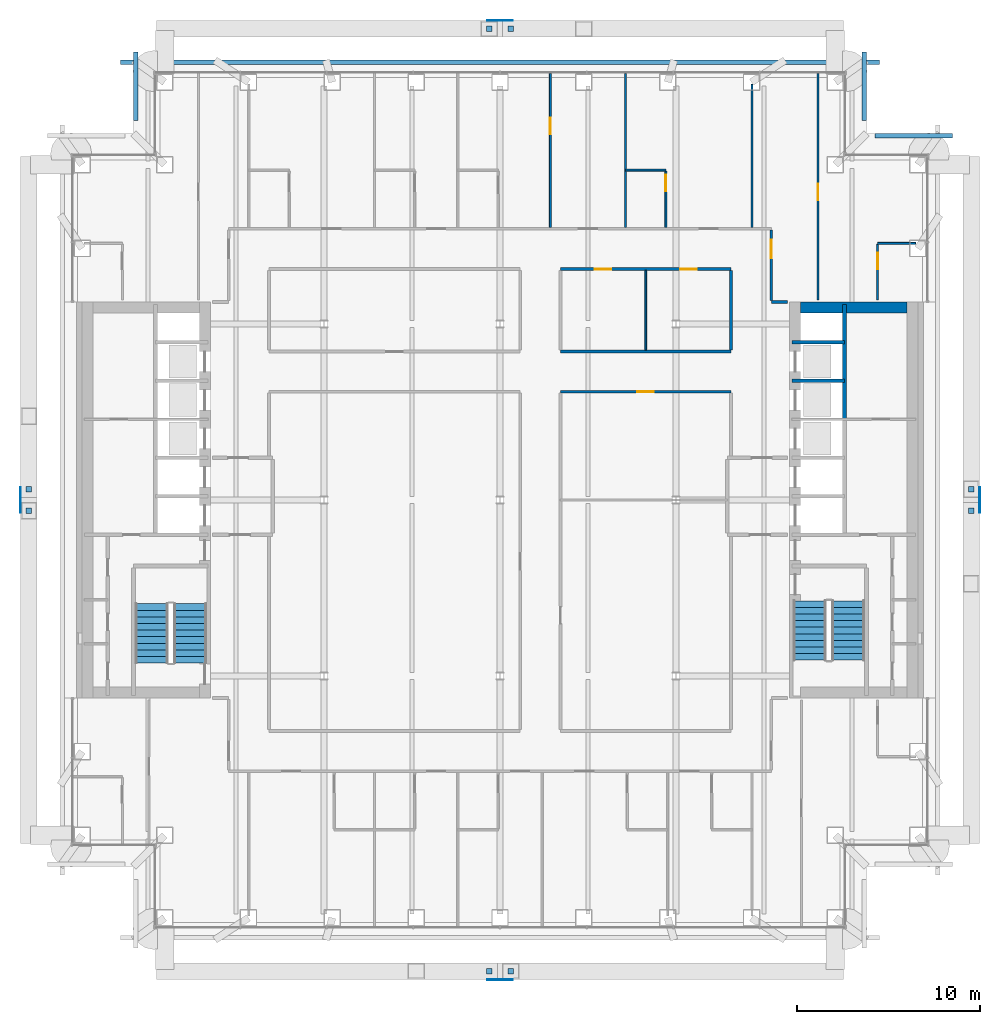
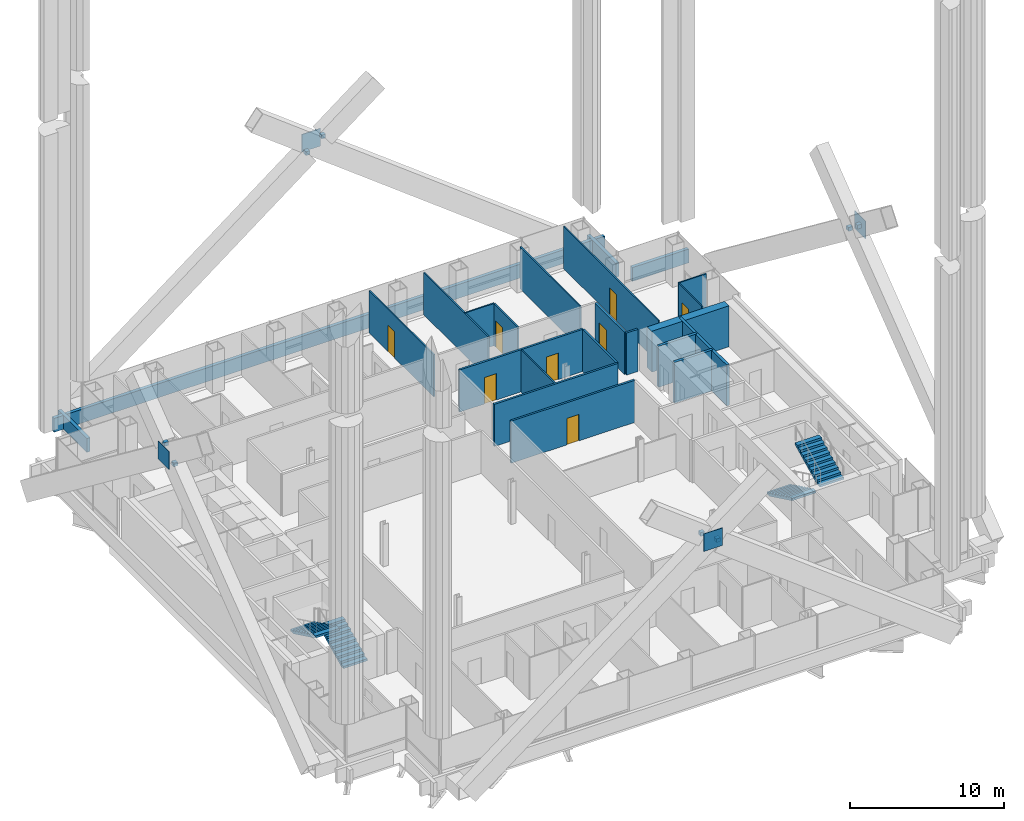
# One storey, part 16 of 22: 23 walls, 12 discrete accessories, 8 doors, 4 stair flights, 8 openings, 2 elements without a shape of their own.
"""IFC4 building model written with IfcOpenShell, lengths in metres."""

from ifc_helpers import new_model, si_unit, direction, frame, frame_2d, origin, origin_2d, place, context, subcontext, project, spatial, polyline, rectangle, outline, extrude, material, layer, layer_set, type_object, element, fill, aggregate, save


model = new_model("IFC4")

# Units and contexts
model_context = context("Model", 3, precision=1e-05, world=origin(), true_north=direction((0.0, 1.0)))
body_context = subcontext(model_context, "Body", "Model", "MODEL_VIEW")
ifc_project = project(units=[si_unit("LENGTHUNIT", "METRE"), si_unit("AREAUNIT", "SQUARE_METRE"), si_unit("VOLUMEUNIT", "CUBIC_METRE"), si_unit("PLANEANGLEUNIT", "RADIAN"), si_unit("MASSUNIT", "GRAM", prefix="KILO")], contexts=[model_context])

# Site, building, storey
site_placement = place(None, origin())
site = spatial("IfcSite", under=ifc_project, at=site_placement, CompositionType="ELEMENT")
building_placement = place(site_placement, origin())
building = spatial("IfcBuilding", under=site, at=building_placement, Name="Cobrizo Arcos Hotel Tower", CompositionType="ELEMENT")
storey_placement = place(building_placement, frame((0.0, 0.0, 89.0)))
storey = spatial("IfcBuildingStorey", under=building, at=storey_placement, Name="L21", CompositionType="ELEMENT", Elevation=89.0)

# Wall, opening, door
ifc_material_1 = material(Name="Gypsum board partition")
ifc_layer_1 = layer(ifc_material_1, 0.14990234375)
ifc_layer_set_1 = layer_set([ifc_layer_1], Name="Corridor wall EI 60 150")
wall_type_1 = type_object("IfcWallType", Name="Corridor wall EI 60 150", PredefinedType="PARTITIONING", material=ifc_layer_set_1)
wall_1_placement = place(storey_placement, frame((3.300048828125, 5.89990234375, 0.0), z_axis=(0.0, 0.0, 1.0), x_axis=(1.0, 0.0, 0.0)))
wall_1 = element("IfcWall", 1, at=wall_1_placement, inside=storey, type_object=wall_type_1, Name="Partition 034", PredefinedType="PARTITIONING", context=body_context, shape_type="SweptSolid", body=[
    extrude(rectangle(XDim=9.300048828125, YDim=0.14990234375, at=frame_2d((4.64990234375, 0.0))), origin(), (0.0, 0.0, 1.0), 3.35009765625),
])
opening_1_placement = place(wall_1_placement, frame((4.199951171875, 0.0, 0.0)))
opening_1 = element("IfcOpeningElement", 2, at=opening_1_placement, cuts=wall_1, Name="Opening RD-16", PredefinedType="OPENING", context=body_context, shape_type="SweptSolid", body=[
    extrude(rectangle(XDim=0.89990234375, YDim=2.10009765625, at=frame_2d((0.449951171875, 1.050048828125))), frame((0.0, 0.0869140625, 0.0), z_axis=(0.0, -1.0, 0.0), x_axis=(1.0, 0.0, 0.0)), (0.0, 0.0, 1.0), 0.173828125),
])
ifc_material_2 = material(Name="Timber door leaf", Category="wood")
door_type_1 = type_object("IfcDoorType", Name="Room door FD30 900x2100", OperationType="SINGLE_SWING_LEFT", PredefinedType="DOOR", material=ifc_material_2)
door_1_placement = place(opening_1_placement, origin())
door_1 = element("IfcDoor", 3, at=door_1_placement, inside=storey, type_object=door_type_1, Name="Door RD-16", OperationType="SINGLE_SWING_RIGHT", OverallHeight=2.10009765625, OverallWidth=0.89990234375, PredefinedType="DOOR", context=body_context, shape_type="SweptSolid", body=[
    extrude(rectangle(XDim=0.89990234375, YDim=2.10009765625, at=frame_2d((0.449951171875, 1.050048828125))), frame((0.0, 0.02490234375, 0.0), z_axis=(0.0, -1.0, 0.0), x_axis=(1.0, 0.0, 0.0)), (0.0, 0.0, 1.0), 0.050048828125),
])
fill(opening_1, door_1)

# Walls
wall_2_placement = place(storey_placement, frame((3.300048828125, 8.10009765625, 0.0), z_axis=(0.0, 0.0, 1.0), x_axis=(1.0, 0.0, 0.0)))
element("IfcWall", 4, at=wall_2_placement, inside=storey, type_object=wall_type_1, Name="Partition 038", PredefinedType="PARTITIONING", context=body_context, shape_type="SweptSolid", body=[
    extrude(rectangle(XDim=9.300048828125, YDim=0.14990234375, at=frame_2d((4.64990234375, 0.0))), origin(), (0.0, 0.0, 1.0), 3.35009765625),
])
wall_3_placement = place(storey_placement, frame((14.800048828125, 10.800048828125, 0.0), z_axis=(0.0, 0.0, 1.0), x_axis=(1.0, 0.0, 0.0)))
element("IfcWall", 5, at=wall_3_placement, inside=storey, type_object=wall_type_1, Name="Partition 042", PredefinedType="PARTITIONING", context=body_context, shape_type="SweptSolid", body=[
    extrude(rectangle(XDim=0.8798828125, YDim=0.14990234375, at=frame_2d((0.43994140625, 0.0))), origin(), (0.0, 0.0, 1.0), 3.35009765625),
])

# Wall, openings, doors
wall_4_placement = place(storey_placement, frame((3.300048828125, 12.60009765625, 0.0), z_axis=(0.0, 0.0, 1.0), x_axis=(1.0, 0.0, 0.0)))
wall_4 = element("IfcWall", 6, at=wall_4_placement, inside=storey, type_object=wall_type_1, Name="Partition 044", PredefinedType="PARTITIONING", context=body_context, shape_type="SweptSolid", body=[
    extrude(rectangle(XDim=9.300048828125, YDim=0.14990234375, at=frame_2d((4.64990234375, 0.0))), origin(), (0.0, 0.0, 1.0), 3.35009765625),
])
opening_2_placement = place(wall_4_placement, frame((1.875, 0.0, 0.0)))
opening_2 = element("IfcOpeningElement", 7, at=opening_2_placement, cuts=wall_4, Name="Opening ED-14", PredefinedType="OPENING", context=body_context, shape_type="SweptSolid", body=[
    extrude(rectangle(XDim=0.89990234375, YDim=2.10009765625, at=frame_2d((0.449951171875, 1.050048828125))), frame((0.0, 0.0869140625, 0.0), z_axis=(0.0, -1.0, 0.0), x_axis=(1.0, 0.0, 0.0)), (0.0, 0.0, 1.0), 0.173828125),
])
opening_3_placement = place(wall_4_placement, frame((6.52490234375, 0.0, 0.0)))
opening_3 = element("IfcOpeningElement", 8, at=opening_3_placement, cuts=wall_4, Name="Opening ED-15", PredefinedType="OPENING", context=body_context, shape_type="SweptSolid", body=[
    extrude(rectangle(XDim=0.89990234375, YDim=2.10009765625, at=frame_2d((0.449951171875, 1.050048828125))), frame((0.0, 0.0869140625, 0.0), z_axis=(0.0, -1.0, 0.0), x_axis=(1.0, 0.0, 0.0)), (0.0, 0.0, 1.0), 0.173828125),
])
door_type_2 = type_object("IfcDoorType", Name="En-suite door 900x2100", OperationType="SINGLE_SWING_LEFT", PredefinedType="DOOR", material=ifc_material_2)
door_2_placement = place(opening_2_placement, origin())
door_2 = element("IfcDoor", 9, at=door_2_placement, inside=storey, type_object=door_type_2, Name="Door ED-14", OperationType="SINGLE_SWING_LEFT", OverallHeight=2.10009765625, OverallWidth=0.89990234375, PredefinedType="DOOR", context=body_context, shape_type="SweptSolid", body=[
    extrude(rectangle(XDim=0.89990234375, YDim=2.10009765625, at=frame_2d((0.449951171875, 1.050048828125))), frame((0.0, 0.02490234375, 0.0), z_axis=(0.0, -1.0, 0.0), x_axis=(1.0, 0.0, 0.0)), (0.0, 0.0, 1.0), 0.050048828125),
])
fill(opening_2, door_2)
door_3_placement = place(opening_3_placement, origin())
door_3 = element("IfcDoor", 10, at=door_3_placement, inside=storey, type_object=door_type_2, Name="Door ED-15", OperationType="SINGLE_SWING_RIGHT", OverallHeight=2.10009765625, OverallWidth=0.89990234375, PredefinedType="DOOR", context=body_context, shape_type="SweptSolid", body=[
    extrude(rectangle(XDim=0.89990234375, YDim=2.10009765625, at=frame_2d((0.449951171875, 1.050048828125))), frame((0.0, 0.02490234375, 0.0), z_axis=(0.0, -1.0, 0.0), x_axis=(1.0, 0.0, 0.0)), (0.0, 0.0, 1.0), 0.050048828125),
])
fill(opening_3, door_3)

# Wall
wall_5_placement = place(storey_placement, frame((12.60009765625, 8.175048828125, 0.0), z_axis=(0.0, 0.0, 1.0), x_axis=(0.0, 1.0, 0.0)))
element("IfcWall", 11, at=wall_5_placement, inside=storey, type_object=wall_type_1, Name="Partition 094", PredefinedType="PARTITIONING", context=body_context, shape_type="SweptSolid", body=[
    extrude(rectangle(XDim=4.349853515625, YDim=0.14990234375, at=frame_2d((2.1748046875, 0.0))), origin(), (0.0, 0.0, 1.0), 3.35009765625),
])

# Wall, opening, door
wall_6_placement = place(storey_placement, frame((14.800048828125, 10.875, 0.0), z_axis=(0.0, 0.0, 1.0), x_axis=(0.0, 1.0, 0.0)))
wall_6 = element("IfcWall", 12, at=wall_6_placement, inside=storey, type_object=wall_type_1, Name="Partition 098", PredefinedType="PARTITIONING", context=body_context, shape_type="SweptSolid", body=[
    extrude(rectangle(XDim=3.85009765625, YDim=0.14990234375, at=frame_2d((1.925048828125, 0.0))), origin(), (0.0, 0.0, 1.0), 3.35009765625),
])
opening_4_placement = place(wall_6_placement, frame((2.324951171875, 0.0, 0.0)))
opening_4 = element("IfcOpeningElement", 13, at=opening_4_placement, cuts=wall_6, Name="Opening GD-13", PredefinedType="OPENING", context=body_context, shape_type="SweptSolid", body=[
    extrude(rectangle(XDim=1.0, YDim=2.10009765625, at=frame_2d((0.5, 1.050048828125))), frame((0.0, 0.0869140625, 0.0), z_axis=(0.0, -1.0, 0.0), x_axis=(1.0, 0.0, 0.0)), (0.0, 0.0, 1.0), 0.173828125),
])
door_type_3 = type_object("IfcDoorType", Name="Guest room door FD30S 1000x2100", OperationType="SINGLE_SWING_LEFT", PredefinedType="DOOR", material=ifc_material_2)
door_4_placement = place(opening_4_placement, origin())
door_4 = element("IfcDoor", 14, at=door_4_placement, inside=storey, type_object=door_type_3, Name="Door GD-13", OperationType="SINGLE_SWING_LEFT", OverallHeight=2.10009765625, OverallWidth=1.0, PredefinedType="DOOR", context=body_context, shape_type="SweptSolid", body=[
    extrude(rectangle(XDim=1.0, YDim=2.10009765625, at=frame_2d((0.5, 1.050048828125))), frame((0.0, 0.02490234375, 0.0), z_axis=(0.0, -1.0, 0.0), x_axis=(1.0, 0.0, 0.0)), (0.0, 0.0, 1.0), 0.050048828125),
])
fill(opening_4, door_4)

# Walls
ifc_material_3 = material(Name="Aluminium composite panel pale metal", Category="aluminium")
ifc_layer_2 = layer(ifc_material_3, 0.25)
ifc_layer_set_2 = layer_set([ifc_layer_2], Name="PW-1 parapet wall")
wall_type_2 = type_object("IfcWallType", Name="PW-1 parapet wall", PredefinedType="PARAPET", material=ifc_layer_set_2)
wall_7_placement = place(storey_placement, frame((24.699951171875, 19.875, 0.0), z_axis=(0.0, 0.0, 1.0), x_axis=(-1.0, 0.0, 0.0)))
element("IfcWall", 15, at=wall_7_placement, inside=storey, type_object=wall_type_2, Name="Parapet L20 N", PredefinedType="PARAPET", context=body_context, shape_type="SweptSolid", body=[
    extrude(rectangle(XDim=4.25, YDim=0.25, at=frame_2d((2.125, 0.0))), origin(), (0.0, 0.0, 1.0), 1.10009765625),
])
wall_8_placement = place(storey_placement, frame((19.875, 20.699951171875, 0.0), z_axis=(0.0, 0.0, 1.0), x_axis=(0.0, 1.0, 0.0)))
element("IfcWall", 16, at=wall_8_placement, inside=storey, type_object=wall_type_2, Name="Parapet L20 E", PredefinedType="PARAPET", context=body_context, shape_type="SweptSolid", body=[
    extrude(rectangle(XDim=3.75, YDim=0.25, at=frame_2d((1.875, 0.0))), origin(), (0.0, 0.0, 1.0), 1.10009765625),
])
wall_9_placement = place(storey_placement, frame((20.699951171875, 23.875, 0.0), z_axis=(0.0, 0.0, 1.0), x_axis=(-1.0, 0.0, 0.0)))
element("IfcWall", 17, at=wall_9_placement, inside=storey, type_object=wall_type_2, Name="Parapet L20 N", PredefinedType="PARAPET", context=body_context, shape_type="SweptSolid", body=[
    extrude(rectangle(XDim=41.39990234375, YDim=0.25, at=frame_2d((20.699951171875, 0.0))), origin(), (0.0, 0.0, 1.0), 1.10009765625),
])
wall_10_placement = place(storey_placement, frame((-19.875, 24.449951171875, 0.0), z_axis=(0.0, 0.0, 1.0), x_axis=(0.0, -1.0, 0.0)))
element("IfcWall", 18, at=wall_10_placement, inside=storey, type_object=wall_type_2, Name="Parapet L20 W", PredefinedType="PARAPET", context=body_context, shape_type="SweptSolid", body=[
    extrude(rectangle(XDim=3.75, YDim=0.25, at=frame_2d((1.875, 0.0))), origin(), (0.0, 0.0, 1.0), 1.10009765625),
])
ifc_layer_3 = layer(ifc_material_1, 0.10009765625)
ifc_layer_set_3 = layer_set([ifc_layer_3], Name="Partition EI 30 100")
wall_type_3 = type_object("IfcWallType", Name="Partition EI 30 100", PredefinedType="PARTITIONING", material=ifc_layer_set_3)
wall_11_placement = place(storey_placement, frame((20.60009765625, 14.0, 0.0), z_axis=(0.0, 0.0, 1.0), x_axis=(1.0, 0.0, 0.0)))
element("IfcWall", 19, at=wall_11_placement, inside=storey, type_object=wall_type_3, Name="Partition 046", PredefinedType="PARTITIONING", context=body_context, shape_type="SweptSolid", body=[
    extrude(rectangle(XDim=2.079833984375, YDim=0.10009765625, at=frame_2d((1.0400390625, 0.0))), origin(), (0.0, 0.0, 1.0), 3.35009765625),
])
wall_12_placement = place(storey_placement, frame((6.85009765625, 18.0, 0.0), z_axis=(0.0, 0.0, 1.0), x_axis=(1.0, 0.0, 0.0)))
element("IfcWall", 20, at=wall_12_placement, inside=storey, type_object=wall_type_3, Name="Partition 051", PredefinedType="PARTITIONING", context=body_context, shape_type="SweptSolid", body=[
    extrude(rectangle(XDim=2.199951171875, YDim=0.10009765625, at=frame_2d((1.10009765625, 0.0))), origin(), (0.0, 0.0, 1.0), 3.35009765625),
])

# Wall, opening, door
wall_13_placement = place(storey_placement, frame((2.75, 14.875, 0.0), z_axis=(0.0, 0.0, 1.0), x_axis=(0.0, 1.0, 0.0)))
wall_13 = element("IfcWall", 21, at=wall_13_placement, inside=storey, type_object=wall_type_3, Name="Partition 082", PredefinedType="PARTITIONING", context=body_context, shape_type="SweptSolid", body=[
    extrude(rectangle(XDim=8.405029296875, YDim=0.10009765625, at=frame_2d((4.20263671875, 0.0))), origin(), (0.0, 0.0, 1.0), 3.35009765625),
])
opening_5_placement = place(wall_13_placement, frame((5.074951171875, 0.0, 0.0)))
opening_5 = element("IfcOpeningElement", 22, at=opening_5_placement, cuts=wall_13, Name="Opening RD-11", PredefinedType="OPENING", context=body_context, shape_type="SweptSolid", body=[
    extrude(rectangle(XDim=0.89990234375, YDim=2.10009765625, at=frame_2d((0.449951171875, 1.050048828125))), frame((0.0, 0.06201171875, 0.0), z_axis=(0.0, -1.0, 0.0), x_axis=(1.0, 0.0, 0.0)), (0.0, 0.0, 1.0), 0.1240234375),
])
door_5_placement = place(opening_5_placement, origin())
door_5 = element("IfcDoor", 23, at=door_5_placement, inside=storey, type_object=door_type_1, Name="Door RD-11", OperationType="SINGLE_SWING_RIGHT", OverallHeight=2.10009765625, OverallWidth=0.89990234375, PredefinedType="DOOR", context=body_context, shape_type="SweptSolid", body=[
    extrude(rectangle(XDim=0.89990234375, YDim=2.10009765625, at=frame_2d((0.449951171875, 1.050048828125))), frame((0.0, 0.02490234375, 0.0), z_axis=(0.0, -1.0, 0.0), x_axis=(1.0, 0.0, 0.0)), (0.0, 0.0, 1.0), 0.050048828125),
])
fill(opening_5, door_5)

# Walls
wall_14_placement = place(storey_placement, frame((6.85009765625, 14.875, 0.0), z_axis=(0.0, 0.0, 1.0), x_axis=(0.0, 1.0, 0.0)))
element("IfcWall", 24, at=wall_14_placement, inside=storey, type_object=wall_type_3, Name="Partition 085", PredefinedType="PARTITIONING", context=body_context, shape_type="SweptSolid", body=[
    extrude(rectangle(XDim=8.405029296875, YDim=0.10009765625, at=frame_2d((4.20263671875, 0.0))), origin(), (0.0, 0.0, 1.0), 3.35009765625),
])
wall_15_placement = place(storey_placement, frame((7.949951171875, 8.175048828125, 0.0), z_axis=(0.0, 0.0, 1.0), x_axis=(0.0, 1.0, 0.0)))
element("IfcWall", 25, at=wall_15_placement, inside=storey, type_object=wall_type_3, Name="Partition 087", PredefinedType="PARTITIONING", context=body_context, shape_type="SweptSolid", body=[
    extrude(rectangle(XDim=4.349853515625, YDim=0.10009765625, at=frame_2d((2.1748046875, 0.0))), origin(), (0.0, 0.0, 1.0), 3.35009765625),
])

# Wall, opening, door
wall_16_placement = place(storey_placement, frame((9.050048828125, 14.875, 0.0), z_axis=(0.0, 0.0, 1.0), x_axis=(0.0, 1.0, 0.0)))
wall_16 = element("IfcWall", 26, at=wall_16_placement, inside=storey, type_object=wall_type_3, Name="Partition 088", PredefinedType="PARTITIONING", context=body_context, shape_type="SweptSolid", body=[
    extrude(rectangle(XDim=3.074951171875, YDim=0.10009765625, at=frame_2d((1.53759765625, 0.0))), origin(), (0.0, 0.0, 1.0), 3.35009765625),
])
opening_6_placement = place(wall_16_placement, frame((1.970947265625, 0.0, 0.0)))
opening_6 = element("IfcOpeningElement", 27, at=opening_6_placement, cuts=wall_16, Name="Opening ED-04", PredefinedType="OPENING", context=body_context, shape_type="SweptSolid", body=[
    extrude(rectangle(XDim=0.89990234375, YDim=2.10009765625, at=frame_2d((0.449951171875, 1.050048828125))), frame((0.0, 0.06201171875, 0.0), z_axis=(0.0, -1.0, 0.0), x_axis=(1.0, 0.0, 0.0)), (0.0, 0.0, 1.0), 0.1240234375),
])
door_6_placement = place(opening_6_placement, origin())
door_6 = element("IfcDoor", 28, at=door_6_placement, inside=storey, type_object=door_type_2, Name="Door ED-04", OperationType="SINGLE_SWING_RIGHT", OverallHeight=2.10009765625, OverallWidth=0.89990234375, PredefinedType="DOOR", context=body_context, shape_type="SweptSolid", body=[
    extrude(rectangle(XDim=0.89990234375, YDim=2.10009765625, at=frame_2d((0.449951171875, 1.050048828125))), frame((0.0, 0.02490234375, 0.0), z_axis=(0.0, -1.0, 0.0), x_axis=(1.0, 0.0, 0.0)), (0.0, 0.0, 1.0), 0.050048828125),
])
fill(opening_6, door_6)

# Wall
wall_17_placement = place(storey_placement, frame((13.75, 14.875, 0.0), z_axis=(0.0, 0.0, 1.0), x_axis=(0.0, 1.0, 0.0)))
element("IfcWall", 29, at=wall_17_placement, inside=storey, type_object=wall_type_3, Name="Partition 096", PredefinedType="PARTITIONING", context=body_context, shape_type="SweptSolid", body=[
    extrude(rectangle(XDim=7.804931640625, YDim=0.10009765625, at=frame_2d((3.90234375, 0.0))), origin(), (0.0, 0.0, 1.0), 3.35009765625),
])

# Wall, opening, door
wall_18_placement = place(storey_placement, frame((17.35009765625, 10.919921875, 0.0), z_axis=(0.0, 0.0, 1.0), x_axis=(0.0, 1.0, 0.0)))
wall_18 = element("IfcWall", 30, at=wall_18_placement, inside=storey, type_object=wall_type_3, Name="Partition 100", PredefinedType="PARTITIONING", context=body_context, shape_type="SweptSolid", body=[
    extrude(rectangle(XDim=12.360107421875, YDim=0.10009765625, at=frame_2d((6.18017578125, 0.0))), origin(), (0.0, 0.0, 1.0), 3.35009765625),
])
opening_7_placement = place(wall_18_placement, frame((5.429931640625, 0.0, 0.0)))
opening_7 = element("IfcOpeningElement", 31, at=opening_7_placement, cuts=wall_18, Name="Opening RD-15", PredefinedType="OPENING", context=body_context, shape_type="SweptSolid", body=[
    extrude(rectangle(XDim=0.89990234375, YDim=2.10009765625, at=frame_2d((0.449951171875, 1.050048828125))), frame((0.0, 0.06201171875, 0.0), z_axis=(0.0, -1.0, 0.0), x_axis=(1.0, 0.0, 0.0)), (0.0, 0.0, 1.0), 0.1240234375),
])
door_7_placement = place(opening_7_placement, origin())
door_7 = element("IfcDoor", 32, at=door_7_placement, inside=storey, type_object=door_type_1, Name="Door RD-15", OperationType="SINGLE_SWING_LEFT", OverallHeight=2.10009765625, OverallWidth=0.89990234375, PredefinedType="DOOR", context=body_context, shape_type="SweptSolid", body=[
    extrude(rectangle(XDim=0.89990234375, YDim=2.10009765625, at=frame_2d((0.449951171875, 1.050048828125))), frame((0.0, 0.02490234375, 0.0), z_axis=(0.0, -1.0, 0.0), x_axis=(1.0, 0.0, 0.0)), (0.0, 0.0, 1.0), 0.050048828125),
])
fill(opening_7, door_7)

wall_19_placement = place(storey_placement, frame((20.60009765625, 10.919921875, 0.0), z_axis=(0.0, 0.0, 1.0), x_axis=(0.0, 1.0, 0.0)))
wall_19 = element("IfcWall", 33, at=wall_19_placement, inside=storey, type_object=wall_type_3, Name="Partition 105", PredefinedType="PARTITIONING", context=body_context, shape_type="SweptSolid", body=[
    extrude(rectangle(XDim=3.030029296875, YDim=0.10009765625, at=frame_2d((1.51513671875, 0.0))), origin(), (0.0, 0.0, 1.0), 3.35009765625),
])
opening_8_placement = place(wall_19_placement, frame((1.669921875, 0.0, 0.0)))
opening_8 = element("IfcOpeningElement", 34, at=opening_8_placement, cuts=wall_19, Name="Opening ED-13", PredefinedType="OPENING", context=body_context, shape_type="SweptSolid", body=[
    extrude(rectangle(XDim=0.89990234375, YDim=2.10009765625, at=frame_2d((0.449951171875, 1.050048828125))), frame((0.0, 0.06201171875, 0.0), z_axis=(0.0, -1.0, 0.0), x_axis=(1.0, 0.0, 0.0)), (0.0, 0.0, 1.0), 0.1240234375),
])
door_8_placement = place(opening_8_placement, origin())
door_8 = element("IfcDoor", 35, at=door_8_placement, inside=storey, type_object=door_type_2, Name="Door ED-13", OperationType="SINGLE_SWING_RIGHT", OverallHeight=2.10009765625, OverallWidth=0.89990234375, PredefinedType="DOOR", context=body_context, shape_type="SweptSolid", body=[
    extrude(rectangle(XDim=0.89990234375, YDim=2.10009765625, at=frame_2d((0.449951171875, 1.050048828125))), frame((0.0, 0.02490234375, 0.0), z_axis=(0.0, -1.0, 0.0), x_axis=(1.0, 0.0, 0.0)), (0.0, 0.0, 1.0), 0.050048828125),
])
fill(opening_8, door_8)

# Walls
ifc_material_4 = material(Name="Concrete f'c 50 MPa", Category="concrete")
ifc_layer_4 = layer(ifc_material_4, 0.60009765625)
ifc_layer_set_4 = layer_set([ifc_layer_4], Name="RC core wall 600 f'c 50")
wall_type_4 = type_object("IfcWallType", Name="RC core wall 600 f'c 50", PredefinedType="SHEAR", material=ifc_layer_set_4)
wall_20_placement = place(storey_placement, frame((16.39990234375, 10.5, 0.0), z_axis=(0.0, 0.0, 1.0), x_axis=(1.0, 0.0, 0.0)))
element("IfcWall", 36, at=wall_20_placement, inside=storey, type_object=wall_type_4, Name="Core wall CW2, east core, north end, L21", PredefinedType="SHEAR", context=body_context, shape_type="SweptSolid", body=[
    extrude(rectangle(XDim=5.800048828125, YDim=0.60009765625, at=frame_2d((2.89990234375, 0.0))), origin(), (0.0, 0.0, 1.0), 3.25),
])
ifc_layer_5 = layer(ifc_material_1, 0.199951171875)
ifc_layer_set_5 = layer_set([ifc_layer_5], Name="Shaft wall EI 120 200")
wall_type_5 = type_object("IfcWallType", Name="Shaft wall EI 120 200", PredefinedType="PARTITIONING", material=ifc_layer_set_5)
for number, where, z_axis, x_axis, name in (
    (37, (15.919921875, 6.5, 0.0), (0.0, 0.0, 1.0), (1.0, 0.0, 0.0), "Partition 036"),
    (38, (15.919921875, 8.60009765625, 0.0), (0.0, 0.0, 1.0), (1.0, 0.0, 0.0), "Partition 040"),
):
    element("IfcWall", number, at=place(storey_placement, frame(where, z_axis=z_axis, x_axis=x_axis)), inside=storey, type_object=wall_type_5, Name=name, PredefinedType="PARTITIONING", context=body_context, shape_type="SweptSolid", body=[
        extrude(rectangle(XDim=2.880126953125, YDim=0.199951171875, at=frame_2d((1.43994140625, 0.0))), origin(), (0.0, 0.0, 1.0), 3.25),
    ])
wall_21_placement = place(storey_placement, frame((18.800048828125, 4.449951171875, 0.0), z_axis=(0.0, 0.0, 1.0), x_axis=(0.0, 1.0, 0.0)))
element("IfcWall", 39, at=wall_21_placement, inside=storey, type_object=wall_type_5, Name="Partition 102", PredefinedType="PARTITIONING", context=body_context, shape_type="SweptSolid", body=[
    extrude(rectangle(XDim=6.22998046875, YDim=0.199951171875, at=frame_2d((3.114990234375, 0.0))), origin(), (0.0, 0.0, 1.0), 3.25),
])

# Stair, stair flights
ifc_material_5 = material(Name="Concrete f'c 40 MPa", Category="concrete")
stair_type = type_object("IfcStairType", Name="Exit stair", PredefinedType="HALF_TURN_STAIR", material=ifc_material_5)
stair_1_placement = place(storey_placement, origin())
stair_1 = element("IfcStair", 40, at=stair_1_placement, inside=storey, type_object=stair_type, Name="L21 Exit stair ST-W", PredefinedType="HALF_TURN_STAIR")
stair_flight_type = type_object("IfcStairFlightType", Name="Exit stair flight", PredefinedType="STRAIGHT", material=ifc_material_5)
stair_flight_1_placement = place(storey_placement, frame((-16.89990234375, -8.89990234375, 0.0), z_axis=(0.0, 0.0, 1.0), x_axis=(0.0, 1.0, 0.0)))
stair_flight_1 = element("IfcStairFlight", 41, at=stair_flight_1_placement, type_object=stair_flight_type, Name="ST-W flight 1", NumberOfRisers=10, NumberOfTreads=9, PredefinedType="STRAIGHT", RiserHeight=0.175, TreadLength=0.36, context=body_context, shape_type="SweptSolid", body=[
    extrude(outline(polyline([(0.0, 0.0), (0.0, 0.175048828125), (0.360107421875, 0.175048828125), (0.360107421875, 0.35009765625), (0.719970703125, 0.35009765625), (0.719970703125, 0.52490234375), (1.080078125, 0.52490234375), (1.080078125, 0.699951171875), (1.43994140625, 0.699951171875), (1.43994140625, 0.875), (1.800048828125, 0.875), (1.800048828125, 1.050048828125), (2.159912109375, 1.050048828125), (2.159912109375, 1.22509765625), (2.52001953125, 1.22509765625), (2.52001953125, 1.39990234375), (2.8798828125, 1.39990234375), (2.8798828125, 1.574951171875), (3.239990234375, 1.574951171875), (3.239990234375, 1.75), (3.239990234375, 1.408203125), (0.3427734375, 0.0), (0.0, 0.0)])), frame((0.0, 0.89990234375, 0.0), z_axis=(0.0, -1.0, 0.0), x_axis=(1.0, 0.0, 0.0)), (0.0, 0.0, 1.0), 1.800048828125),
])
stair_flight_2_placement = place(storey_placement, frame((-19.0, -5.659912109375, 1.75), z_axis=(0.0, 0.0, 1.0), x_axis=(0.0, -1.0, 0.0)))
stair_flight_2 = element("IfcStairFlight", 42, at=stair_flight_2_placement, type_object=stair_flight_type, Name="ST-W flight 2", NumberOfRisers=10, NumberOfTreads=9, PredefinedType="STRAIGHT", RiserHeight=0.175, TreadLength=0.36, context=body_context, shape_type="SweptSolid", body=[
    extrude(outline(polyline([(0.0, 0.0), (0.0, 0.175048828125), (0.360107421875, 0.175048828125), (0.360107421875, 0.35009765625), (0.719970703125, 0.35009765625), (0.719970703125, 0.52490234375), (1.080078125, 0.52490234375), (1.080078125, 0.699951171875), (1.43994140625, 0.699951171875), (1.43994140625, 0.875), (1.800048828125, 0.875), (1.800048828125, 1.050048828125), (2.159912109375, 1.050048828125), (2.159912109375, 1.22509765625), (2.52001953125, 1.22509765625), (2.52001953125, 1.39990234375), (2.8798828125, 1.39990234375), (2.8798828125, 1.574951171875), (3.239990234375, 1.574951171875), (3.239990234375, 1.75), (3.239990234375, 1.408203125), (0.3427734375, 0.0), (0.0, 0.0)])), frame((0.0, 0.89990234375, 0.0), z_axis=(0.0, -1.0, 0.0), x_axis=(1.0, 0.0, 0.0)), (0.0, 0.0, 1.0), 1.800048828125),
])
aggregate(stair_1, [stair_flight_1, stair_flight_2])

stair_2_placement = place(storey_placement, origin())
stair_2 = element("IfcStair", 43, at=stair_2_placement, inside=storey, type_object=stair_type, Name="L21 Exit stair ST-E", PredefinedType="HALF_TURN_STAIR")
stair_flight_3_placement = place(storey_placement, frame((16.89990234375, -5.5, 0.0), z_axis=(0.0, 0.0, 1.0), x_axis=(0.0, -1.0, 0.0)))
stair_flight_3 = element("IfcStairFlight", 44, at=stair_flight_3_placement, type_object=stair_flight_type, Name="ST-E flight 1", NumberOfRisers=10, NumberOfTreads=9, PredefinedType="STRAIGHT", RiserHeight=0.175, TreadLength=0.36, context=body_context, shape_type="SweptSolid", body=[
    extrude(outline(polyline([(0.0, 0.0), (0.0, 0.175048828125), (0.360107421875, 0.175048828125), (0.360107421875, 0.35009765625), (0.719970703125, 0.35009765625), (0.719970703125, 0.52490234375), (1.080078125, 0.52490234375), (1.080078125, 0.699951171875), (1.43994140625, 0.699951171875), (1.43994140625, 0.875), (1.800048828125, 0.875), (1.800048828125, 1.050048828125), (2.159912109375, 1.050048828125), (2.159912109375, 1.22509765625), (2.52001953125, 1.22509765625), (2.52001953125, 1.39990234375), (2.8798828125, 1.39990234375), (2.8798828125, 1.574951171875), (3.239990234375, 1.574951171875), (3.239990234375, 1.75), (3.239990234375, 1.408203125), (0.3427734375, 0.0), (0.0, 0.0)])), frame((0.0, 0.89990234375, 0.0), z_axis=(0.0, -1.0, 0.0), x_axis=(1.0, 0.0, 0.0)), (0.0, 0.0, 1.0), 1.800048828125),
])
stair_flight_4_placement = place(storey_placement, frame((19.0, -8.739990234375, 1.75), z_axis=(0.0, 0.0, 1.0), x_axis=(0.0, 1.0, 0.0)))
stair_flight_4 = element("IfcStairFlight", 45, at=stair_flight_4_placement, type_object=stair_flight_type, Name="ST-E flight 2", NumberOfRisers=10, NumberOfTreads=9, PredefinedType="STRAIGHT", RiserHeight=0.175, TreadLength=0.36, context=body_context, shape_type="SweptSolid", body=[
    extrude(outline(polyline([(0.0, 0.0), (0.0, 0.175048828125), (0.360107421875, 0.175048828125), (0.360107421875, 0.35009765625), (0.719970703125, 0.35009765625), (0.719970703125, 0.52490234375), (1.080078125, 0.52490234375), (1.080078125, 0.699951171875), (1.43994140625, 0.699951171875), (1.43994140625, 0.875), (1.800048828125, 0.875), (1.800048828125, 1.050048828125), (2.159912109375, 1.050048828125), (2.159912109375, 1.22509765625), (2.52001953125, 1.22509765625), (2.52001953125, 1.39990234375), (2.8798828125, 1.39990234375), (2.8798828125, 1.574951171875), (3.239990234375, 1.574951171875), (3.239990234375, 1.75), (3.239990234375, 1.408203125), (0.3427734375, 0.0), (0.0, 0.0)])), frame((0.0, 0.89990234375, 0.0), z_axis=(0.0, -1.0, 0.0), x_axis=(1.0, 0.0, 0.0)), (0.0, 0.0, 1.0), 1.800048828125),
])
aggregate(stair_2, [stair_flight_3, stair_flight_4])

# Discrete accessories
ifc_material_6 = material(Name="Steel ASTM A572 Grade 50", Category="steel")
discrete_accessory_type_1 = type_object("IfcDiscreteAccessoryType", Name="GP-1 gusset plate 1400x1400x40", PredefinedType="BRACKET", material=ifc_material_6)
discrete_accessory_1_placement = place(storey_placement, frame((26.169921875, 0.0, 13.800048828125), z_axis=(0.0, 0.0, 1.0), x_axis=(1.0, 0.0, 0.0)))
element("IfcDiscreteAccessory", 46, at=discrete_accessory_1_placement, inside=storey, type_object=discrete_accessory_type_1, Name="Gusset plate br-Z2-E-00", PredefinedType="BRACKET", context=body_context, shape_type="SweptSolid", body=[
    extrude(rectangle(XDim=0.0400390625, YDim=1.39990234375, at=origin_2d()), origin(), (0.0, 0.0, 1.0), 1.39990234375),
])
for number, where, z_axis, x_axis, name in (
    (47, (0.0, 26.169921875, 13.800048828125), (0.0, 0.0, 1.0), (1.0, 0.0, 0.0), "Gusset plate br-Z2-N-00"),
    (48, (0.0, -26.169921875, 13.800048828125), (0.0, 0.0, 1.0), (1.0, 0.0, 0.0), "Gusset plate br-Z2-S-00"),
):
    element("IfcDiscreteAccessory", number, at=place(storey_placement, frame(where, z_axis=z_axis, x_axis=x_axis)), inside=storey, type_object=discrete_accessory_type_1, Name=name, PredefinedType="BRACKET", context=body_context, shape_type="SweptSolid", body=[
        extrude(rectangle(XDim=1.39990234375, YDim=0.0400390625, at=origin_2d()), origin(), (0.0, 0.0, 1.0), 1.39990234375),
    ])
discrete_accessory_2_placement = place(storey_placement, frame((-26.169921875, 0.0, 13.800048828125), z_axis=(0.0, 0.0, 1.0), x_axis=(1.0, 0.0, 0.0)))
element("IfcDiscreteAccessory", 49, at=discrete_accessory_2_placement, inside=storey, type_object=discrete_accessory_type_1, Name="Gusset plate br-Z2-W-00", PredefinedType="BRACKET", context=body_context, shape_type="SweptSolid", body=[
    extrude(rectangle(XDim=0.0400390625, YDim=1.39990234375, at=origin_2d()), origin(), (0.0, 0.0, 1.0), 1.39990234375),
])
discrete_accessory_type_2 = type_object("IfcDiscreteAccessoryType", Name="GP-5 brace end plate 300x300x300", PredefinedType="BRACKET", material=ifc_material_6)
for number, where, z_axis, x_axis, name in (
    (50, (25.699951171875, 0.59326171875, 13.89599609375), (0.0, 0.0, 1.0), (1.0, 0.0, 0.0), "Brace end plate"),
    (51, (25.699951171875, -0.59326171875, 14.8037109375), (0.0, 0.0, 1.0), (1.0, 0.0, 0.0), "Brace end plate"),
    (52, (-0.59326171875, 25.699951171875, 13.89599609375), (0.0, 0.0, 1.0), (1.0, 0.0, 0.0), "Brace end plate"),
    (53, (0.59326171875, 25.699951171875, 14.8037109375), (0.0, 0.0, 1.0), (1.0, 0.0, 0.0), "Brace end plate"),
    (54, (0.59326171875, -25.699951171875, 13.89599609375), (0.0, 0.0, 1.0), (1.0, 0.0, 0.0), "Brace end plate"),
    (55, (-0.59326171875, -25.699951171875, 14.8037109375), (0.0, 0.0, 1.0), (1.0, 0.0, 0.0), "Brace end plate"),
    (56, (-25.699951171875, -0.59326171875, 13.89599609375), (0.0, 0.0, 1.0), (1.0, 0.0, 0.0), "Brace end plate"),
    (57, (-25.699951171875, 0.59326171875, 14.8037109375), (0.0, 0.0, 1.0), (1.0, 0.0, 0.0), "Brace end plate"),
):
    element("IfcDiscreteAccessory", number, at=place(storey_placement, frame(where, z_axis=z_axis, x_axis=x_axis)), inside=storey, type_object=discrete_accessory_type_2, Name=name, PredefinedType="BRACKET", context=body_context, shape_type="SweptSolid", body=[
        extrude(rectangle(XDim=0.300048828125, YDim=0.300048828125, at=origin_2d()), origin(), (0.0, 0.0, 1.0), 0.300048828125),
    ])

save(model, "model.ifc")
